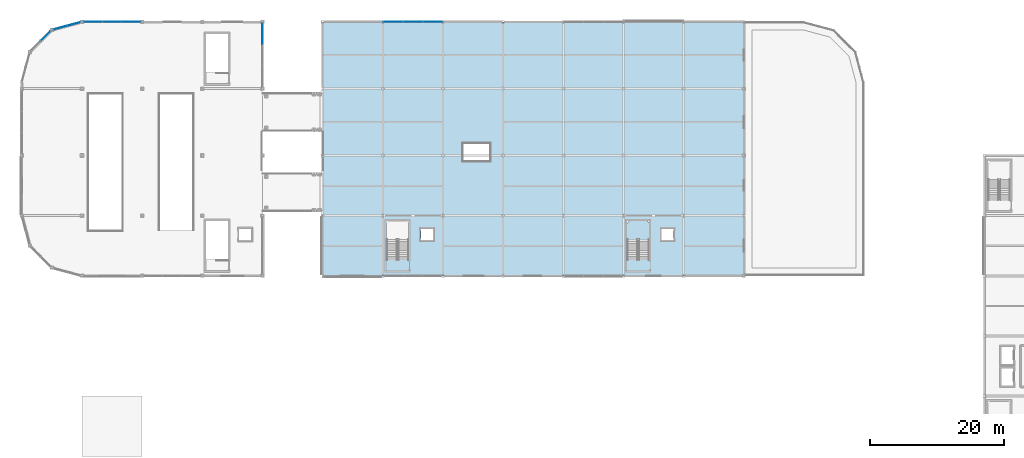
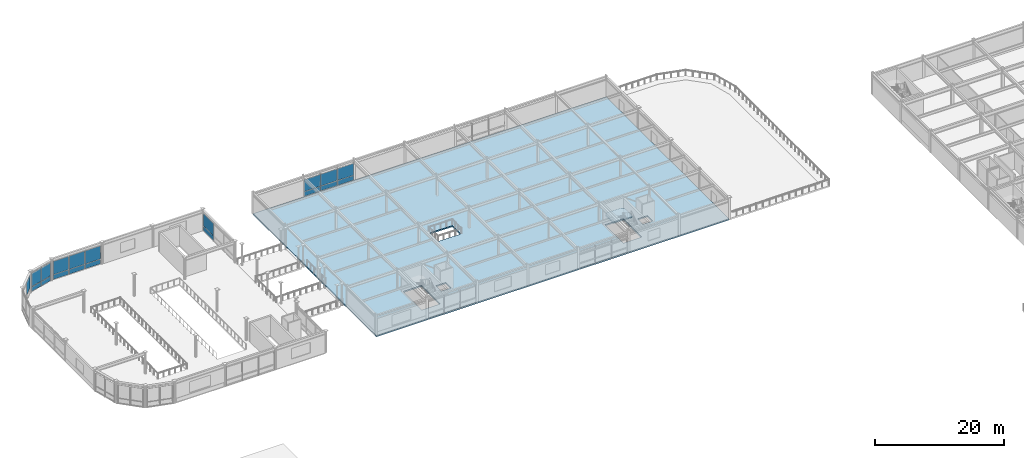
# One storey, part 32 of 53: 19 plates, 2 slabs, 6 elements without a shape of their own.
"""IFC4 building model written with IfcOpenShell, lengths in metres."""

import ifcopenshell
import ifcopenshell.guid

model = None  # the IFC model being written
_history = None  # IfcOwnerHistory: only IFC2X3 demands one
_inside = {}  # id of a spatial element -> (the spatial element, [elements in it])
_under = {}  # id of a project, library or spatial element -> (it, [spatial elements below it])
_declared = {}  # id of a project -> (the project, [libraries it declares])
_typed = {}  # id of a type object -> (the type object, [elements of that type])
_made_of = {}  # id of a material, layer set ... -> (it, [elements and type objects made of it])


def new_model(schema):
    """Start an empty IFC model of exactly this schema.

    Asked for "IFC4X3", IfcOpenShell would pick the latest addendum, in which some entities
    have other attributes; the version numbers below select the first issue.
    IFC2X3 requires an IfcOwnerHistory on every rooted entity: one is made here for all.
    """
    global model, _history
    if schema == "IFC4X3":
        model = ifcopenshell.file(schema_version=(4, 3, 0, 0))
    else:
        model = ifcopenshell.file(schema=schema)
    _inside.clear()
    _under.clear()
    _declared.clear()
    _typed.clear()
    _made_of.clear()
    _history = None
    if model.schema == "IFC2X3":
        org = make("IfcOrganization", Name="unknown")
        user = make(
            "IfcPersonAndOrganization",
            ThePerson=make("IfcPerson", FamilyName="unknown"),
            TheOrganization=org,
        )
        app = make(
            "IfcApplication",
            ApplicationDeveloper=org,
            Version="unknown",
            ApplicationFullName="unknown",
            ApplicationIdentifier="unknown",
        )
        _history = make(
            "IfcOwnerHistory",
            OwningUser=user,
            OwningApplication=app,
            ChangeAction="ADDED",
            CreationDate=0,
        )
    return model


def make(cls, **values):
    """One entity of the class cls with the attributes given. An attribute that is None is left unset."""
    return model.create_entity(
        cls, **{name: value for name, value in values.items() if value is not None}
    )


def rooted(cls, **values):
    """An entity with a GlobalId (a new one), such as an element, a storey or a relation."""
    return make(cls, GlobalId=ifcopenshell.guid.new(), OwnerHistory=_history, **values)


def si_unit(unit_type, name, prefix=None):
    """IfcSIUnit, for example si_unit("LENGTHUNIT", "METRE", prefix="MILLI")."""
    return make("IfcSIUnit", UnitType=unit_type, Prefix=prefix, Name=name)


def assignment(units):
    """IfcUnitAssignment: the units of a project."""
    return None if units is None else make("IfcUnitAssignment", Units=units)


def point(xyz):
    """IfcCartesianPoint."""
    return None if xyz is None else make("IfcCartesianPoint", Coordinates=xyz)


def direction(xyz):
    """IfcDirection."""
    return None if xyz is None else make("IfcDirection", DirectionRatios=xyz)


def frame(location, z_axis=None, x_axis=None):
    """IfcAxis2Placement3D, a coordinate frame: its origin and axes. An axis left out is left unset."""
    return make(
        "IfcAxis2Placement3D",
        Location=point(location),
        Axis=direction(z_axis),
        RefDirection=direction(x_axis),
    )


def frame_2d(location, x_axis=None):
    """IfcAxis2Placement2D, a coordinate frame in the plane: its origin and x axis."""
    return make(
        "IfcAxis2Placement2D", Location=point(location), RefDirection=direction(x_axis)
    )


def origin():
    """The frame at (0, 0, 0) with its axes left unset."""
    return frame((0.0, 0.0, 0.0))


def origin_2d():
    """The frame at (0, 0) in the plane with its x axis left unset."""
    return frame_2d((0.0, 0.0))


def place(relative_to, where):
    """IfcLocalPlacement: puts the frame where relative to a parent placement (None: the world)."""
    return make(
        "IfcLocalPlacement", PlacementRelTo=relative_to, RelativePlacement=where
    )


def context(
    kind, dimensions, precision=None, world=None, true_north=None, identifier=None
):
    """IfcGeometricRepresentationContext, for example the 3D "Model" context."""
    return make(
        "IfcGeometricRepresentationContext",
        ContextIdentifier=identifier,
        ContextType=kind,
        CoordinateSpaceDimension=dimensions,
        Precision=precision,
        WorldCoordinateSystem=world,
        TrueNorth=true_north,
    )


def subcontext(parent, identifier, kind, view, scale=None):
    """IfcGeometricRepresentationSubContext, for example "Body" below "Model"."""
    return make(
        "IfcGeometricRepresentationSubContext",
        ContextIdentifier=identifier,
        ContextType=kind,
        ParentContext=parent,
        TargetScale=scale,
        TargetView=view,
    )


def project(units=None, contexts=None):
    """IfcProject with its units and contexts."""
    return rooted(
        "IfcProject",
        Name="project",
        RepresentationContexts=contexts,
        UnitsInContext=assignment(units),
    )


def spatial(cls, under=None, at=None, **own):
    """A site, building, storey or space (cls), placed at a placement, below another one or the project."""
    s = rooted(cls, ObjectPlacement=at, **own)
    if under is not None:
        _under.setdefault(under.id(), (under, []))[1].append(s)
    return s


def polyline(points):
    """IfcPolyline through the points."""
    return make("IfcPolyline", Points=[point(p) for p in points])


def profile(cls, at=None, kind="AREA", **sizes):
    """A parametric profile (cls). Its sizes go by their IFC names, for example OverallWidth=200.0."""
    return make(cls, ProfileType=kind, Position=at, **sizes)


def rectangle(**sizes):
    """IfcRectangleProfileDef."""
    return profile("IfcRectangleProfileDef", **sizes)


def outline(outer, holes=None, kind="AREA"):
    """IfcArbitraryClosedProfileDef: a profile drawn as a closed curve; with holes, ...WithVoids."""
    if holes is None:
        return make("IfcArbitraryClosedProfileDef", ProfileType=kind, OuterCurve=outer)
    return make(
        "IfcArbitraryProfileDefWithVoids",
        ProfileType=kind,
        OuterCurve=outer,
        InnerCurves=holes,
    )


def extrude(swept, where, along, depth):
    """IfcExtrudedAreaSolid: the profile swept, set in the frame where, extruded along a direction by depth."""
    return make(
        "IfcExtrudedAreaSolid",
        SweptArea=swept,
        Position=where,
        ExtrudedDirection=direction(along),
        Depth=depth,
    )


def shape(context_of_items, identifier, shape_type, items):
    """IfcShapeRepresentation: the items that make up one representation, for example the "Body"."""
    return make(
        "IfcShapeRepresentation",
        ContextOfItems=context_of_items,
        RepresentationIdentifier=identifier,
        RepresentationType=shape_type,
        Items=items,
    )


def material(Name=None, Category=None):
    """IfcMaterial."""
    return make("IfcMaterial", Name=Name, Category=Category)


def layer(
    of_material, thickness, ventilated=None, Name=None, Category=None, Priority=None
):
    """IfcMaterialLayer: one layer of a wall or slab, of a material (None: an air gap)."""
    return make(
        "IfcMaterialLayer",
        Material=of_material,
        LayerThickness=thickness,
        IsVentilated=ventilated,
        Name=Name,
        Category=Category,
        Priority=Priority,
    )


def layer_set(layers, Name=None):
    """IfcMaterialLayerSet."""
    return make("IfcMaterialLayerSet", MaterialLayers=layers, LayerSetName=Name)


def made_of(thing, what):
    """Note that an element or type object is made of a material, layer set ...; save() writes the relation."""
    if what is not None:
        _made_of.setdefault(what.id(), (what, []))[1].append(thing)
    return thing


def type_object(cls, material=None, **own):
    """A type object (cls), such as IfcWallType, which elements share."""
    return made_of(rooted(cls, **own), material)


def element(
    cls,
    number,
    at=None,
    inside=None,
    cuts=None,
    type_object=None,
    material=None,
    context=None,
    identifier="Body",
    shape_type=None,
    held_by="IfcProductDefinitionShape",
    body=None,
    shapes=None,
    **own,
):
    """One element of the class cls, such as IfcWall. Its Tag is "e" and its number.

    at: its placement. inside: the storey or other place that contains it. cuts: it is an
    opening in that element (IfcRelVoidsElement). A single representation is given by context,
    identifier, shape_type and body (its items); several are given by shapes. held_by: the class
    of the entity that holds the representations. save() writes the other relations.
    """
    e = rooted(cls, Tag="e%d" % number, ObjectPlacement=at, **own)
    if body is not None:
        shapes = [shape(context, identifier, shape_type, body)]
    if shapes is not None:
        e.Representation = make(held_by, Representations=shapes)
    if inside is not None:
        _inside.setdefault(inside.id(), (inside, []))[1].append(e)
    if cuts is not None:
        rooted(
            "IfcRelVoidsElement", RelatingBuildingElement=cuts, RelatedOpeningElement=e
        )
    if type_object is not None:
        _typed.setdefault(type_object.id(), (type_object, []))[1].append(e)
    return made_of(e, material)


def aggregate(whole, parts):
    """IfcRelAggregates: a whole, such as a stair, and the parts it consists of."""
    return rooted("IfcRelAggregates", RelatingObject=whole, RelatedObjects=parts)


def save(model, path):
    """Write the relations noted so far, then the file.

    IfcRelAggregates (storeys below a building ...), IfcRelContainedInSpatialStructure (elements
    in a storey), IfcRelDefinesByType, IfcRelAssociatesMaterial and IfcRelDeclares: one each for
    every whole, place, type object, material and project.
    """
    for whole, parts in _under.values():
        aggregate(whole, parts)
    for where, things in _inside.values():
        rooted(
            "IfcRelContainedInSpatialStructure",
            RelatedElements=things,
            RelatingStructure=where,
        )
    for kind, things in _typed.values():
        rooted("IfcRelDefinesByType", RelatedObjects=things, RelatingType=kind)
    for what, things in _made_of.values():
        rooted("IfcRelAssociatesMaterial", RelatedObjects=things, RelatingMaterial=what)
    for by, libraries in _declared.values():
        rooted("IfcRelDeclares", RelatingContext=by, RelatedDefinitions=libraries)
    model.write(path)


model = new_model("IFC4")

# Units and contexts
model_context = context("Model", 3, precision=1e-05, world=origin(), true_north=direction((0.0, 1.0)))
body_context = subcontext(model_context, "Body", "Model", "MODEL_VIEW")
ifc_project = project(units=[si_unit("LENGTHUNIT", "METRE"), si_unit("AREAUNIT", "SQUARE_METRE"), si_unit("VOLUMEUNIT", "CUBIC_METRE"), si_unit("PLANEANGLEUNIT", "RADIAN"), si_unit("MASSUNIT", "GRAM", prefix="KILO")], contexts=[model_context])

# Site, building, storey
site_placement = place(None, origin())
site = spatial("IfcSite", under=ifc_project, at=site_placement, CompositionType="ELEMENT")
building_placement = place(site_placement, origin())
building = spatial("IfcBuilding", under=site, at=building_placement, Name="Suzunagisa Mobility Hub", CompositionType="ELEMENT")
storey_placement = place(building_placement, frame((0.0, 0.0, 17.699951171875)))
storey = spatial("IfcBuildingStorey", under=building, at=storey_placement, Name="L04", CompositionType="ELEMENT", Elevation=17.699951171875)

# Slab
ifc_material_1 = material(Name="Concrete C35/45", Category="concrete")
ifc_layer_1 = layer(ifc_material_1, 0.25)
ifc_layer_set_1 = layer_set([ifc_layer_1], Name="Concrete C35/45")
slab_type_1 = type_object("IfcSlabType", Name="Composite Slab SL-13 250mm", PredefinedType="FLOOR", material=ifc_layer_set_1)
slab_1_placement = place(storey_placement, frame((0.0, 0.0, -0.25)))
element("IfcSlab", 1, at=slab_1_placement, inside=storey, type_object=slab_type_1, Name="L04 V4 Floor Slab", PredefinedType="FLOOR", context=body_context, shape_type="SweptSolid", body=[
    extrude(outline(polyline([(45.0, 80.0), (108.0, 80.0), (108.0, 118.0), (45.0, 118.0), (45.0, 80.0)]), holes=[polyline([(66.0, 97.199951171875), (70.0, 97.199951171875), (70.0, 99.800048828125), (66.0, 99.800048828125), (66.0, 97.199951171875)]), polyline([(54.56005859375, 82.47998046875), (57.840087890625, 82.47998046875), (57.840087890625, 88.199951171875), (54.56005859375, 88.199951171875), (54.56005859375, 82.47998046875)]), polyline([(59.719970703125, 85.3701171875), (61.47998046875, 85.3701171875), (61.47998046875, 87.030029296875), (59.719970703125, 87.030029296875), (59.719970703125, 85.3701171875)]), polyline([(90.56005859375, 82.47998046875), (93.840087890625, 82.47998046875), (93.840087890625, 88.199951171875), (90.56005859375, 88.199951171875), (90.56005859375, 82.47998046875)]), polyline([(95.719970703125, 85.3701171875), (97.47998046875, 85.3701171875), (97.47998046875, 87.030029296875), (95.719970703125, 87.030029296875), (95.719970703125, 85.3701171875)])]), origin(), (0.0, 0.0, 1.0), 0.25),
])

# Stair, slab
stair_type = type_object("IfcStairType", Name="Dog-Leg Core Escape Stair ST-08 W1560", PredefinedType="HALF_TURN_STAIR", material=ifc_material_1)
stair_placement = place(storey_placement, origin())
stair = element("IfcStair", 2, at=stair_placement, inside=storey, type_object=stair_type, Name="L04 Core C4 Escape Stair ST-08", PredefinedType="HALF_TURN_STAIR")
ifc_layer_2 = layer(ifc_material_1, 0.199951171875)
ifc_layer_set_2 = layer_set([ifc_layer_2], Name="Concrete C35/45")
slab_type_2 = type_object("IfcSlabType", Name="Core Stair Half-Landing Slab SL-SLND", PredefinedType="LANDING", material=ifc_layer_set_2)
slab_2_placement = place(storey_placement, frame((0.0, 0.0, 1.900146484375)))
slab_2 = element("IfcSlab", 3, at=slab_2_placement, type_object=slab_type_2, Name="ST-08 landing 1", PredefinedType="LANDING", context=body_context, shape_type="SweptSolid", body=[
    extrude(outline(polyline([(90.4599609375, 85.360107421875), (93.93994140625, 85.360107421875), (93.93994140625, 87.820068359375), (93.4599609375, 88.300048828125), (90.93994140625, 88.300048828125), (90.4599609375, 87.820068359375), (90.4599609375, 85.360107421875)])), origin(), (0.0, 0.0, 1.0), 0.199951171875),
])
aggregate(stair, [slab_2])

# Curtain wall, plates
ifc_material_2 = material(Name="Thermally Broken Anodized Aluminum and Low-E Glazing", Category="aluminium")
curtain_wall_type_1 = type_object("IfcCurtainWallType", Name="Unitised Curtain Wall CW-05 9750x3400", PredefinedType="USERDEFINED", material=ifc_material_2)
curtain_wall_1_placement = place(storey_placement, origin())
curtain_wall_1 = element("IfcCurtainWall", 4, at=curtain_wall_1_placement, inside=storey, type_object=curtain_wall_type_1, Name="L04 Unitised Curtain Wall CW-85", ObjectType="UNITISED CURTAIN WALL", PredefinedType="USERDEFINED")
ifc_material_3 = material(Name="Low-E Solar-Control Double Glazing", Category="glass")
ifc_layer_3 = layer(ifc_material_3, 0.028076171875)
ifc_layer_set_3 = layer_set([ifc_layer_3], Name="Low-E Solar-Control Double Glazing")
plate_type = type_object("IfcPlateType", Name="Low-E Double Glazed Curtain Panel GP-01 28mm", PredefinedType="CURTAIN_PANEL", material=ifc_layer_set_3)
plate_1_placement = place(storey_placement, frame((36.0, 116.19970703125, 0.063232421875), z_axis=(0.0, 0.0, 1.0), x_axis=(0.0, 1.0, 0.0)))
plate_1 = element("IfcPlate", 5, at=plate_1_placement, type_object=plate_type, Name="Curtain Wall Glazing Panel 85-P3.1", PredefinedType="CURTAIN_PANEL", context=body_context, shape_type="SweptSolid", body=[
    extrude(rectangle(XDim=3.12890625, YDim=0.028076171875, at=origin_2d()), origin(), (0.0, 0.0, 1.0), 0.8564453125),
])
plate_2_placement = place(storey_placement, frame((36.0, 116.19970703125, 0.98046875), z_axis=(0.0, 0.0, 1.0), x_axis=(0.0, 1.0, 0.0)))
plate_2 = element("IfcPlate", 6, at=plate_2_placement, type_object=plate_type, Name="Curtain Wall Glazing Panel 85-P3.2", PredefinedType="CURTAIN_PANEL", context=body_context, shape_type="SweptSolid", body=[
    extrude(rectangle(XDim=3.12890625, YDim=0.028076171875, at=origin_2d()), origin(), (0.0, 0.0, 1.0), 2.30859375),
])
aggregate(curtain_wall_1, [plate_1, plate_2])

curtain_wall_type_2 = type_object("IfcCurtainWallType", Name="Unitised Curtain Wall CW-15 8750x3500", PredefinedType="USERDEFINED", material=ifc_material_2)
curtain_wall_2_placement = place(storey_placement, origin())
curtain_wall_2 = element("IfcCurtainWall", 7, at=curtain_wall_2_placement, inside=storey, type_object=curtain_wall_type_2, Name="L04 Unitised Curtain Wall CW-86", ObjectType="UNITISED CURTAIN WALL", PredefinedType="USERDEFINED")
plate_3_placement = place(storey_placement, frame((16.366455078125, 118.0, 0.063232421875), z_axis=(0.0, 0.0, 1.0), x_axis=(-1.0, 0.0, 0.0)))
plate_3 = element("IfcPlate", 8, at=plate_3_placement, type_object=plate_type, Name="Curtain Wall Glazing Panel 86-P1.1", PredefinedType="CURTAIN_PANEL", context=body_context, shape_type="SweptSolid", body=[
    extrude(rectangle(XDim=2.79541015625, YDim=0.028076171875, at=origin_2d()), origin(), (0.0, 0.0, 1.0), 0.8564453125),
])
plate_4_placement = place(storey_placement, frame((16.366455078125, 118.0, 0.98046875), z_axis=(0.0, 0.0, 1.0), x_axis=(-1.0, 0.0, 0.0)))
plate_4 = element("IfcPlate", 9, at=plate_4_placement, type_object=plate_type, Name="Curtain Wall Glazing Panel 86-P1.2", PredefinedType="CURTAIN_PANEL", context=body_context, shape_type="SweptSolid", body=[
    extrude(rectangle(XDim=2.79541015625, YDim=0.028076171875, at=origin_2d()), origin(), (0.0, 0.0, 1.0), 2.482421875),
])
plate_5_placement = place(storey_placement, frame((13.5, 118.0, 0.063232421875), z_axis=(0.0, 0.0, 1.0), x_axis=(-1.0, 0.0, 0.0)))
plate_5 = element("IfcPlate", 10, at=plate_5_placement, type_object=plate_type, Name="Curtain Wall Glazing Panel 86-P2.1", PredefinedType="CURTAIN_PANEL", context=body_context, shape_type="SweptSolid", body=[
    extrude(rectangle(XDim=2.825439453125, YDim=0.028076171875, at=origin_2d()), origin(), (0.0, 0.0, 1.0), 0.8564453125),
])
plate_6_placement = place(storey_placement, frame((13.5, 118.0, 0.98046875), z_axis=(0.0, 0.0, 1.0), x_axis=(-1.0, 0.0, 0.0)))
plate_6 = element("IfcPlate", 11, at=plate_6_placement, type_object=plate_type, Name="Curtain Wall Glazing Panel 86-P2.2", PredefinedType="CURTAIN_PANEL", context=body_context, shape_type="SweptSolid", body=[
    extrude(rectangle(XDim=2.825439453125, YDim=0.028076171875, at=origin_2d()), origin(), (0.0, 0.0, 1.0), 2.482421875),
])
plate_7_placement = place(storey_placement, frame((10.633544921875, 118.0, 0.063232421875), z_axis=(0.0, 0.0, 1.0), x_axis=(-1.0, 0.0, 0.0)))
plate_7 = element("IfcPlate", 12, at=plate_7_placement, type_object=plate_type, Name="Curtain Wall Glazing Panel 86-P3.1", PredefinedType="CURTAIN_PANEL", context=body_context, shape_type="SweptSolid", body=[
    extrude(rectangle(XDim=2.79541015625, YDim=0.028076171875, at=origin_2d()), origin(), (0.0, 0.0, 1.0), 0.8564453125),
])
plate_8_placement = place(storey_placement, frame((10.633544921875, 118.0, 0.98046875), z_axis=(0.0, 0.0, 1.0), x_axis=(-1.0, 0.0, 0.0)))
plate_8 = element("IfcPlate", 13, at=plate_8_placement, type_object=plate_type, Name="Curtain Wall Glazing Panel 86-P3.2", PredefinedType="CURTAIN_PANEL", context=body_context, shape_type="SweptSolid", body=[
    extrude(rectangle(XDim=2.79541015625, YDim=0.028076171875, at=origin_2d()), origin(), (0.0, 0.0, 1.0), 2.482421875),
])
aggregate(curtain_wall_2, [plate_3, plate_4, plate_5, plate_6, plate_7, plate_8])

curtain_wall_type_3 = type_object("IfcCurtainWallType", Name="Unitised Curtain Wall CW-24 4250x3500", PredefinedType="USERDEFINED", material=ifc_material_2)
curtain_wall_3_placement = place(storey_placement, origin())
curtain_wall_3 = element("IfcCurtainWall", 14, at=curtain_wall_3_placement, inside=storey, type_object=curtain_wall_type_3, Name="L04 Unitised Curtain Wall CW-87", ObjectType="UNITISED CURTAIN WALL", PredefinedType="USERDEFINED")
plate_9_placement = place(storey_placement, frame((7.75537109375, 117.66650390625, 0.05810546875), z_axis=(0.0, 0.0, 1.0), x_axis=(-0.965930084429, -0.258803152984, 0.0)))
plate_9 = element("IfcPlate", 15, at=plate_9_placement, type_object=plate_type, Name="Curtain Wall Glazing Panel 87-P1.1", PredefinedType="CURTAIN_PANEL", context=body_context, shape_type="SweptSolid", body=[
    extrude(rectangle(XDim=2.025634765625, YDim=0.028076171875, at=origin_2d()), origin(), (0.0, 0.0, 1.0), 0.864013671875),
])
plate_10_placement = place(storey_placement, frame((7.75537109375, 117.66650390625, 0.97802734375), z_axis=(0.0, 0.0, 1.0), x_axis=(-0.965930084429, -0.258803152984, 0.0)))
plate_10 = element("IfcPlate", 16, at=plate_10_placement, type_object=plate_type, Name="Curtain Wall Glazing Panel 87-P1.2", PredefinedType="CURTAIN_PANEL", context=body_context, shape_type="SweptSolid", body=[
    extrude(rectangle(XDim=2.025634765625, YDim=0.028076171875, at=origin_2d()), origin(), (0.0, 0.0, 1.0), 2.50390625),
])
plate_11_placement = place(storey_placement, frame((5.74462890625, 117.127685546875, 0.05810546875), z_axis=(0.0, 0.0, 1.0), x_axis=(-0.965930084429, -0.258803152984, 0.0)))
plate_11 = element("IfcPlate", 17, at=plate_11_placement, type_object=plate_type, Name="Curtain Wall Glazing Panel 87-P2.1", PredefinedType="CURTAIN_PANEL", context=body_context, shape_type="SweptSolid", body=[
    extrude(rectangle(XDim=2.025634765625, YDim=0.028076171875, at=origin_2d()), origin(), (0.0, 0.0, 1.0), 0.864013671875),
])
plate_12_placement = place(storey_placement, frame((5.74462890625, 117.127685546875, 0.97802734375), z_axis=(0.0, 0.0, 1.0), x_axis=(-0.965930084429, -0.258803152984, 0.0)))
plate_12 = element("IfcPlate", 18, at=plate_12_placement, type_object=plate_type, Name="Curtain Wall Glazing Panel 87-P2.2", PredefinedType="CURTAIN_PANEL", context=body_context, shape_type="SweptSolid", body=[
    extrude(rectangle(XDim=2.025634765625, YDim=0.028076171875, at=origin_2d()), origin(), (0.0, 0.0, 1.0), 2.50390625),
])
aggregate(curtain_wall_3, [plate_9, plate_10, plate_11, plate_12])

# Curtain wall, plate
curtain_wall_4_placement = place(storey_placement, origin())
curtain_wall_4 = element("IfcCurtainWall", 19, at=curtain_wall_4_placement, inside=storey, type_object=curtain_wall_type_3, Name="L04 Unitised Curtain Wall CW-88", ObjectType="UNITISED CURTAIN WALL", PredefinedType="USERDEFINED")
plate_13_placement = place(storey_placement, frame((3.576904296875, 115.87109375, 0.97802734375), z_axis=(0.0, 0.0, 1.0), x_axis=(-0.707106781187, -0.707106781187, 0.0)))
plate_13 = element("IfcPlate", 20, at=plate_13_placement, type_object=plate_type, Name="Curtain Wall Glazing Panel 88-P1.2", PredefinedType="CURTAIN_PANEL", context=body_context, shape_type="SweptSolid", body=[
    extrude(rectangle(XDim=1.991943359375, YDim=0.028076171875, at=origin_2d()), origin(), (0.0, 0.0, 1.0), 2.50390625),
])
aggregate(curtain_wall_4, [plate_13])

# Curtain wall, plates
curtain_wall_type_4 = type_object("IfcCurtainWallType", Name="Unitised Curtain Wall CW-33 9000x3200", PredefinedType="USERDEFINED", material=ifc_material_2)
curtain_wall_5_placement = place(storey_placement, origin())
curtain_wall_5 = element("IfcCurtainWall", 21, at=curtain_wall_5_placement, inside=storey, type_object=curtain_wall_type_4, Name="L04 Unitised Curtain Wall CW-134", ObjectType="UNITISED CURTAIN WALL", PredefinedType="USERDEFINED")
plate_14_placement = place(storey_placement, frame((61.48193359375, 118.0, 0.063232421875), z_axis=(0.0, 0.0, 1.0), x_axis=(-1.0, 0.0, 0.0)))
plate_14 = element("IfcPlate", 22, at=plate_14_placement, type_object=plate_type, Name="Curtain Wall Glazing Panel 134-P1.1", PredefinedType="CURTAIN_PANEL", context=body_context, shape_type="SweptSolid", body=[
    extrude(rectangle(XDim=2.910888671875, YDim=0.028076171875, at=origin_2d()), origin(), (0.0, 0.0, 1.0), 0.8564453125),
])
plate_15_placement = place(storey_placement, frame((61.48193359375, 118.0, 0.98046875), z_axis=(0.0, 0.0, 1.0), x_axis=(-1.0, 0.0, 0.0)))
plate_15 = element("IfcPlate", 23, at=plate_15_placement, type_object=plate_type, Name="Curtain Wall Glazing Panel 134-P1.2", PredefinedType="CURTAIN_PANEL", context=body_context, shape_type="SweptSolid", body=[
    extrude(rectangle(XDim=2.910888671875, YDim=0.028076171875, at=origin_2d()), origin(), (0.0, 0.0, 1.0), 2.20654296875),
])
plate_16_placement = place(storey_placement, frame((58.5, 118.0, 0.063232421875), z_axis=(0.0, 0.0, 1.0), x_axis=(-1.0, 0.0, 0.0)))
plate_16 = element("IfcPlate", 24, at=plate_16_placement, type_object=plate_type, Name="Curtain Wall Glazing Panel 134-P2.1", PredefinedType="CURTAIN_PANEL", context=body_context, shape_type="SweptSolid", body=[
    extrude(rectangle(XDim=2.94091796875, YDim=0.028076171875, at=origin_2d()), origin(), (0.0, 0.0, 1.0), 0.8564453125),
])
plate_17_placement = place(storey_placement, frame((58.5, 118.0, 0.98046875), z_axis=(0.0, 0.0, 1.0), x_axis=(-1.0, 0.0, 0.0)))
plate_17 = element("IfcPlate", 25, at=plate_17_placement, type_object=plate_type, Name="Curtain Wall Glazing Panel 134-P2.2", PredefinedType="CURTAIN_PANEL", context=body_context, shape_type="SweptSolid", body=[
    extrude(rectangle(XDim=2.94091796875, YDim=0.028076171875, at=origin_2d()), origin(), (0.0, 0.0, 1.0), 2.20654296875),
])
plate_18_placement = place(storey_placement, frame((55.51806640625, 118.0, 0.063232421875), z_axis=(0.0, 0.0, 1.0), x_axis=(-1.0, 0.0, 0.0)))
plate_18 = element("IfcPlate", 26, at=plate_18_placement, type_object=plate_type, Name="Curtain Wall Glazing Panel 134-P3.1", PredefinedType="CURTAIN_PANEL", context=body_context, shape_type="SweptSolid", body=[
    extrude(rectangle(XDim=2.910888671875, YDim=0.028076171875, at=origin_2d()), origin(), (0.0, 0.0, 1.0), 0.8564453125),
])
plate_19_placement = place(storey_placement, frame((55.51806640625, 118.0, 0.98046875), z_axis=(0.0, 0.0, 1.0), x_axis=(-1.0, 0.0, 0.0)))
plate_19 = element("IfcPlate", 27, at=plate_19_placement, type_object=plate_type, Name="Curtain Wall Glazing Panel 134-P3.2", PredefinedType="CURTAIN_PANEL", context=body_context, shape_type="SweptSolid", body=[
    extrude(rectangle(XDim=2.910888671875, YDim=0.028076171875, at=origin_2d()), origin(), (0.0, 0.0, 1.0), 2.20654296875),
])
aggregate(curtain_wall_5, [plate_14, plate_15, plate_16, plate_17, plate_18, plate_19])

save(model, "model.ifc")
